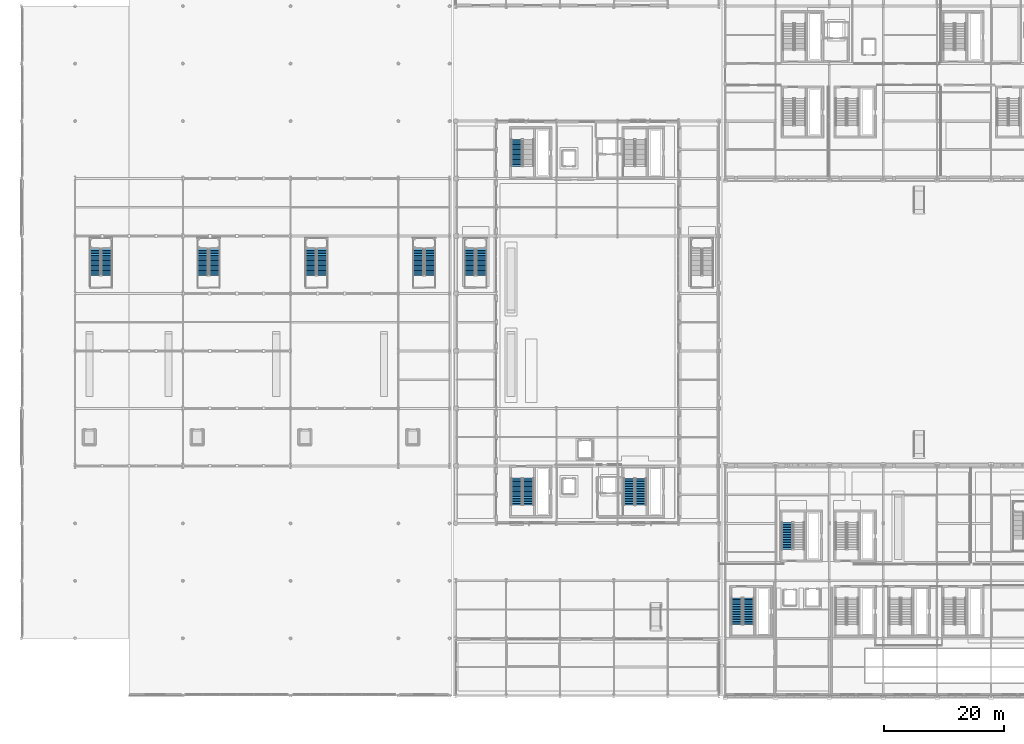
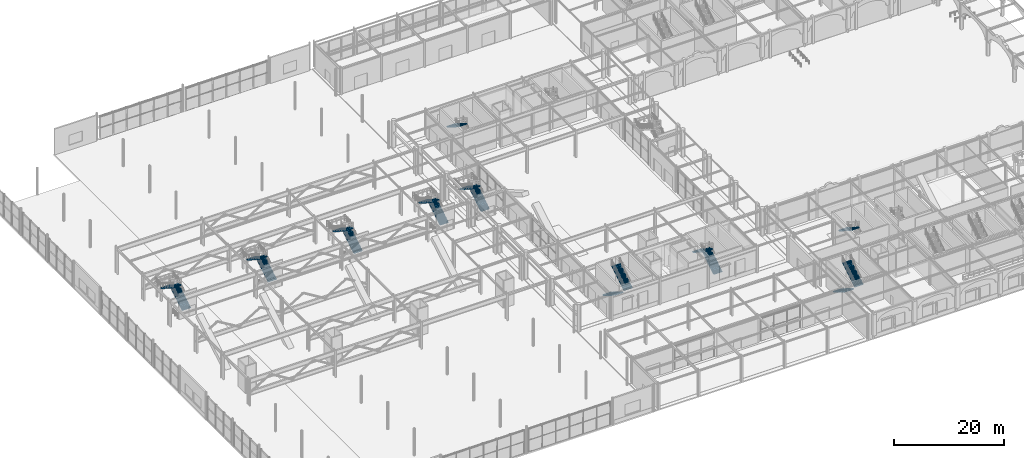
# One storey, part 70 of 113: 18 stair flights, 10 elements without a shape of their own.
"""IFC4 building model written with IfcOpenShell, lengths in metres."""

from ifc_helpers import new_model, si_unit, direction, frame, origin, place, context, subcontext, project, spatial, polyline, outline, extrude, material, type_object, element, aggregate, save


model = new_model("IFC4")

# Units and contexts
model_context = context("Model", 3, precision=1e-05, world=origin(), true_north=direction((0.0, 1.0)))
body_context = subcontext(model_context, "Body", "Model", "MODEL_VIEW")
ifc_project = project(units=[si_unit("LENGTHUNIT", "METRE"), si_unit("AREAUNIT", "SQUARE_METRE"), si_unit("VOLUMEUNIT", "CUBIC_METRE"), si_unit("PLANEANGLEUNIT", "RADIAN"), si_unit("MASSUNIT", "GRAM", prefix="KILO")], contexts=[model_context])

# Site, building, storey
site_placement = place(None, origin())
site = spatial("IfcSite", under=ifc_project, at=site_placement, CompositionType="ELEMENT")
building_placement = place(site_placement, origin())
building = spatial("IfcBuilding", under=site, at=building_placement, Name="Myrtia Square Station", CompositionType="ELEMENT")
storey_placement = place(building_placement, origin())
storey = spatial("IfcBuildingStorey", under=building, at=storey_placement, Name="L00", CompositionType="ELEMENT", Elevation=0.0)

# Stair, stair flights
ifc_material = material(Name="Concrete C35/45", Category="concrete")
stair_type_1 = type_object("IfcStairType", Name="STR-02-34R-1800W", PredefinedType="HALF_TURN_STAIR", material=ifc_material)
stair_1_placement = place(storey_placement, origin())
stair_1 = element("IfcStair", 1, at=stair_1_placement, inside=storey, type_object=stair_type_1, Name="L00 Core escape stair ST01", PredefinedType="HALF_TURN_STAIR")
stair_flight_type_1 = type_object("IfcStairFlightType", Name="STF-02-17R-1800W", PredefinedType="STRAIGHT", material=ifc_material)
stair_flight_1_placement = place(storey_placement, frame((82.75, 36.35009765625, 0.0), z_axis=(0.0, 0.0, 1.0), x_axis=(0.0, -1.0, 0.0)))
stair_flight_1 = element("IfcStairFlight", 2, at=stair_flight_1_placement, type_object=stair_flight_type_1, Name="ST01 flight 1", NumberOfRisers=17, NumberOfTreads=16, PredefinedType="STRAIGHT", RiserHeight=0.176470588, TreadLength=0.28, context=body_context, shape_type="SweptSolid", body=[
    extrude(outline(polyline([(0.0, 0.0), (0.0, 0.176513671875), (0.280029296875, 0.176513671875), (0.280029296875, 0.35302734375), (0.56005859375, 0.35302734375), (0.56005859375, 0.529296875), (0.840087890625, 0.529296875), (0.840087890625, 0.705810546875), (1.1201171875, 0.705810546875), (1.1201171875, 0.88232421875), (1.39990234375, 0.88232421875), (1.39990234375, 1.058837890625), (1.679931640625, 1.058837890625), (1.679931640625, 1.2353515625), (1.9599609375, 1.2353515625), (1.9599609375, 1.411865234375), (2.239990234375, 1.411865234375), (2.239990234375, 1.588134765625), (2.52001953125, 1.588134765625), (2.52001953125, 1.7646484375), (2.800048828125, 1.7646484375), (2.800048828125, 1.941162109375), (3.080078125, 1.941162109375), (3.080078125, 2.11767578125), (3.360107421875, 2.11767578125), (3.360107421875, 2.294189453125), (3.639892578125, 2.294189453125), (3.639892578125, 2.470703125), (3.919921875, 2.470703125), (3.919921875, 2.64697265625), (4.199951171875, 2.64697265625), (4.199951171875, 2.823486328125), (4.47998046875, 2.823486328125), (4.47998046875, 3.0), (4.47998046875, 2.646240234375), (0.28125, 0.0), (0.0, 0.0)])), frame((0.0, 0.89990234375, 0.0), z_axis=(0.0, -1.0, 0.0), x_axis=(1.0, 0.0, 0.0)), (0.0, 0.0, 1.0), 1.800048828125),
])
stair_flight_2_placement = place(storey_placement, frame((84.7099609375, 31.8701171875, 3.0), z_axis=(0.0, 0.0, 1.0), x_axis=(0.0, 1.0, 0.0)))
stair_flight_2 = element("IfcStairFlight", 3, at=stair_flight_2_placement, type_object=stair_flight_type_1, Name="ST01 flight 2", NumberOfRisers=17, NumberOfTreads=16, PredefinedType="STRAIGHT", RiserHeight=0.176470588, TreadLength=0.28, context=body_context, shape_type="SweptSolid", body=[
    extrude(outline(polyline([(0.0, 0.0), (0.0, 0.176513671875), (0.280029296875, 0.176513671875), (0.280029296875, 0.35302734375), (0.56005859375, 0.35302734375), (0.56005859375, 0.529296875), (0.840087890625, 0.529296875), (0.840087890625, 0.705810546875), (1.1201171875, 0.705810546875), (1.1201171875, 0.88232421875), (1.39990234375, 0.88232421875), (1.39990234375, 1.058837890625), (1.679931640625, 1.058837890625), (1.679931640625, 1.2353515625), (1.9599609375, 1.2353515625), (1.9599609375, 1.411865234375), (2.239990234375, 1.411865234375), (2.239990234375, 1.588134765625), (2.52001953125, 1.588134765625), (2.52001953125, 1.7646484375), (2.800048828125, 1.7646484375), (2.800048828125, 1.941162109375), (3.080078125, 1.941162109375), (3.080078125, 2.11767578125), (3.360107421875, 2.11767578125), (3.360107421875, 2.294189453125), (3.639892578125, 2.294189453125), (3.639892578125, 2.470703125), (3.919921875, 2.470703125), (3.919921875, 2.64697265625), (4.199951171875, 2.64697265625), (4.199951171875, 2.823486328125), (4.47998046875, 2.823486328125), (4.47998046875, 3.0), (4.47998046875, 2.646240234375), (0.28125, 0.0), (0.0, 0.0)])), frame((0.0, 0.89990234375, 0.0), z_axis=(0.0, -1.0, 0.0), x_axis=(1.0, 0.0, 0.0)), (0.0, 0.0, 1.0), 1.800048828125),
])
aggregate(stair_1, [stair_flight_1, stair_flight_2])

# Stair, stair flight
stair_2_placement = place(storey_placement, origin())
stair_2 = element("IfcStair", 4, at=stair_2_placement, inside=storey, type_object=stair_type_1, Name="L00 Core escape stair ST02", PredefinedType="HALF_TURN_STAIR")
stair_flight_3_placement = place(storey_placement, frame((82.75, 92.929931640625, 3.0), z_axis=(0.0, 0.0, 1.0), x_axis=(0.0, -1.0, 0.0)))
stair_flight_3 = element("IfcStairFlight", 5, at=stair_flight_3_placement, type_object=stair_flight_type_1, Name="ST02 flight 2", NumberOfRisers=17, NumberOfTreads=16, PredefinedType="STRAIGHT", RiserHeight=0.176470588, TreadLength=0.28, context=body_context, shape_type="SweptSolid", body=[
    extrude(outline(polyline([(0.0, 0.0), (0.0, 0.176513671875), (0.280029296875, 0.176513671875), (0.280029296875, 0.35302734375), (0.56005859375, 0.35302734375), (0.56005859375, 0.529296875), (0.840087890625, 0.529296875), (0.840087890625, 0.705810546875), (1.1201171875, 0.705810546875), (1.1201171875, 0.88232421875), (1.39990234375, 0.88232421875), (1.39990234375, 1.058837890625), (1.679931640625, 1.058837890625), (1.679931640625, 1.2353515625), (1.9599609375, 1.2353515625), (1.9599609375, 1.411865234375), (2.239990234375, 1.411865234375), (2.239990234375, 1.588134765625), (2.52001953125, 1.588134765625), (2.52001953125, 1.7646484375), (2.800048828125, 1.7646484375), (2.800048828125, 1.941162109375), (3.080078125, 1.941162109375), (3.080078125, 2.11767578125), (3.360107421875, 2.11767578125), (3.360107421875, 2.294189453125), (3.639892578125, 2.294189453125), (3.639892578125, 2.470703125), (3.919921875, 2.470703125), (3.919921875, 2.64697265625), (4.199951171875, 2.64697265625), (4.199951171875, 2.823486328125), (4.47998046875, 2.823486328125), (4.47998046875, 3.0), (4.47998046875, 2.646240234375), (0.28125, 0.0), (0.0, 0.0)])), frame((0.0, 0.89990234375, 0.0), z_axis=(0.0, -1.0, 0.0), x_axis=(1.0, 0.0, 0.0)), (0.0, 0.0, 1.0), 1.800048828125),
])
aggregate(stair_2, [stair_flight_3])

# Stair, stair flights
stair_3_placement = place(storey_placement, origin())
stair_3 = element("IfcStair", 6, at=stair_3_placement, inside=storey, type_object=stair_type_1, Name="L00 Core escape stair ST03", PredefinedType="HALF_TURN_STAIR")
stair_flight_4_placement = place(storey_placement, frame((103.510009765625, 31.85009765625, 0.0), z_axis=(0.0, 0.0, 1.0), x_axis=(0.0, 1.0, 0.0)))
stair_flight_4 = element("IfcStairFlight", 7, at=stair_flight_4_placement, type_object=stair_flight_type_1, Name="ST03 flight 1", NumberOfRisers=17, NumberOfTreads=16, PredefinedType="STRAIGHT", RiserHeight=0.176470588, TreadLength=0.28, context=body_context, shape_type="SweptSolid", body=[
    extrude(outline(polyline([(0.0, 0.0), (0.0, 0.176513671875), (0.280029296875, 0.176513671875), (0.280029296875, 0.35302734375), (0.56005859375, 0.35302734375), (0.56005859375, 0.529296875), (0.840087890625, 0.529296875), (0.840087890625, 0.705810546875), (1.1201171875, 0.705810546875), (1.1201171875, 0.88232421875), (1.39990234375, 0.88232421875), (1.39990234375, 1.058837890625), (1.679931640625, 1.058837890625), (1.679931640625, 1.2353515625), (1.9599609375, 1.2353515625), (1.9599609375, 1.411865234375), (2.239990234375, 1.411865234375), (2.239990234375, 1.588134765625), (2.52001953125, 1.588134765625), (2.52001953125, 1.7646484375), (2.800048828125, 1.7646484375), (2.800048828125, 1.941162109375), (3.080078125, 1.941162109375), (3.080078125, 2.11767578125), (3.360107421875, 2.11767578125), (3.360107421875, 2.294189453125), (3.639892578125, 2.294189453125), (3.639892578125, 2.470703125), (3.919921875, 2.470703125), (3.919921875, 2.64697265625), (4.199951171875, 2.64697265625), (4.199951171875, 2.823486328125), (4.47998046875, 2.823486328125), (4.47998046875, 3.0), (4.47998046875, 2.646240234375), (0.28125, 0.0), (0.0, 0.0)])), frame((0.0, 0.89990234375, 0.0), z_axis=(0.0, -1.0, 0.0), x_axis=(1.0, 0.0, 0.0)), (0.0, 0.0, 1.0), 1.800048828125),
])
stair_flight_5_placement = place(storey_placement, frame((101.550048828125, 36.330078125, 3.0), z_axis=(0.0, 0.0, 1.0), x_axis=(0.0, -1.0, 0.0)))
stair_flight_5 = element("IfcStairFlight", 8, at=stair_flight_5_placement, type_object=stair_flight_type_1, Name="ST03 flight 2", NumberOfRisers=17, NumberOfTreads=16, PredefinedType="STRAIGHT", RiserHeight=0.176470588, TreadLength=0.28, context=body_context, shape_type="SweptSolid", body=[
    extrude(outline(polyline([(0.0, 0.0), (0.0, 0.176513671875), (0.280029296875, 0.176513671875), (0.280029296875, 0.35302734375), (0.56005859375, 0.35302734375), (0.56005859375, 0.529296875), (0.840087890625, 0.529296875), (0.840087890625, 0.705810546875), (1.1201171875, 0.705810546875), (1.1201171875, 0.88232421875), (1.39990234375, 0.88232421875), (1.39990234375, 1.058837890625), (1.679931640625, 1.058837890625), (1.679931640625, 1.2353515625), (1.9599609375, 1.2353515625), (1.9599609375, 1.411865234375), (2.239990234375, 1.411865234375), (2.239990234375, 1.588134765625), (2.52001953125, 1.588134765625), (2.52001953125, 1.7646484375), (2.800048828125, 1.7646484375), (2.800048828125, 1.941162109375), (3.080078125, 1.941162109375), (3.080078125, 2.11767578125), (3.360107421875, 2.11767578125), (3.360107421875, 2.294189453125), (3.639892578125, 2.294189453125), (3.639892578125, 2.470703125), (3.919921875, 2.470703125), (3.919921875, 2.64697265625), (4.199951171875, 2.64697265625), (4.199951171875, 2.823486328125), (4.47998046875, 2.823486328125), (4.47998046875, 3.0), (4.47998046875, 2.646240234375), (0.28125, 0.0), (0.0, 0.0)])), frame((0.0, 0.89990234375, 0.0), z_axis=(0.0, -1.0, 0.0), x_axis=(1.0, 0.0, 0.0)), (0.0, 0.0, 1.0), 1.800048828125),
])
aggregate(stair_3, [stair_flight_4, stair_flight_5])

stair_4_placement = place(storey_placement, origin())
stair_4 = element("IfcStair", 9, at=stair_4_placement, inside=storey, type_object=stair_type_1, Name="L00 Core escape stair ST05", PredefinedType="HALF_TURN_STAIR")
stair_flight_6_placement = place(storey_placement, frame((119.550048828125, 16.35009765625, 0.0), z_axis=(0.0, 0.0, 1.0), x_axis=(0.0, -1.0, 0.0)))
stair_flight_6 = element("IfcStairFlight", 10, at=stair_flight_6_placement, type_object=stair_flight_type_1, Name="ST05 flight 1", NumberOfRisers=17, NumberOfTreads=16, PredefinedType="STRAIGHT", RiserHeight=0.176470588, TreadLength=0.28, context=body_context, shape_type="SweptSolid", body=[
    extrude(outline(polyline([(0.0, 0.0), (0.0, 0.176513671875), (0.280029296875, 0.176513671875), (0.280029296875, 0.35302734375), (0.56005859375, 0.35302734375), (0.56005859375, 0.529296875), (0.840087890625, 0.529296875), (0.840087890625, 0.705810546875), (1.1201171875, 0.705810546875), (1.1201171875, 0.88232421875), (1.39990234375, 0.88232421875), (1.39990234375, 1.058837890625), (1.679931640625, 1.058837890625), (1.679931640625, 1.2353515625), (1.9599609375, 1.2353515625), (1.9599609375, 1.411865234375), (2.239990234375, 1.411865234375), (2.239990234375, 1.588134765625), (2.52001953125, 1.588134765625), (2.52001953125, 1.7646484375), (2.800048828125, 1.7646484375), (2.800048828125, 1.941162109375), (3.080078125, 1.941162109375), (3.080078125, 2.11767578125), (3.360107421875, 2.11767578125), (3.360107421875, 2.294189453125), (3.639892578125, 2.294189453125), (3.639892578125, 2.470703125), (3.919921875, 2.470703125), (3.919921875, 2.64697265625), (4.199951171875, 2.64697265625), (4.199951171875, 2.823486328125), (4.47998046875, 2.823486328125), (4.47998046875, 3.0), (4.47998046875, 2.646240234375), (0.28125, 0.0), (0.0, 0.0)])), frame((0.0, 0.89990234375, 0.0), z_axis=(0.0, -1.0, 0.0), x_axis=(1.0, 0.0, 0.0)), (0.0, 0.0, 1.0), 1.800048828125),
])
stair_flight_7_placement = place(storey_placement, frame((121.510009765625, 11.8701171875, 3.0), z_axis=(0.0, 0.0, 1.0), x_axis=(0.0, 1.0, 0.0)))
stair_flight_7 = element("IfcStairFlight", 11, at=stair_flight_7_placement, type_object=stair_flight_type_1, Name="ST05 flight 2", NumberOfRisers=17, NumberOfTreads=16, PredefinedType="STRAIGHT", RiserHeight=0.176470588, TreadLength=0.28, context=body_context, shape_type="SweptSolid", body=[
    extrude(outline(polyline([(0.0, 0.0), (0.0, 0.176513671875), (0.280029296875, 0.176513671875), (0.280029296875, 0.35302734375), (0.56005859375, 0.35302734375), (0.56005859375, 0.529296875), (0.840087890625, 0.529296875), (0.840087890625, 0.705810546875), (1.1201171875, 0.705810546875), (1.1201171875, 0.88232421875), (1.39990234375, 0.88232421875), (1.39990234375, 1.058837890625), (1.679931640625, 1.058837890625), (1.679931640625, 1.2353515625), (1.9599609375, 1.2353515625), (1.9599609375, 1.411865234375), (2.239990234375, 1.411865234375), (2.239990234375, 1.588134765625), (2.52001953125, 1.588134765625), (2.52001953125, 1.7646484375), (2.800048828125, 1.7646484375), (2.800048828125, 1.941162109375), (3.080078125, 1.941162109375), (3.080078125, 2.11767578125), (3.360107421875, 2.11767578125), (3.360107421875, 2.294189453125), (3.639892578125, 2.294189453125), (3.639892578125, 2.470703125), (3.919921875, 2.470703125), (3.919921875, 2.64697265625), (4.199951171875, 2.64697265625), (4.199951171875, 2.823486328125), (4.47998046875, 2.823486328125), (4.47998046875, 3.0), (4.47998046875, 2.646240234375), (0.28125, 0.0), (0.0, 0.0)])), frame((0.0, 0.89990234375, 0.0), z_axis=(0.0, -1.0, 0.0), x_axis=(1.0, 0.0, 0.0)), (0.0, 0.0, 1.0), 1.800048828125),
])
aggregate(stair_4, [stair_flight_6, stair_flight_7])

# Stair, stair flight
stair_5_placement = place(storey_placement, origin())
stair_5 = element("IfcStair", 12, at=stair_5_placement, inside=storey, type_object=stair_type_1, Name="L00 Core escape stair ST10", PredefinedType="HALF_TURN_STAIR")
stair_flight_8_placement = place(storey_placement, frame((127.949951171875, 28.929931640625, 3.0), z_axis=(0.0, 0.0, 1.0), x_axis=(0.0, -1.0, 0.0)))
stair_flight_8 = element("IfcStairFlight", 13, at=stair_flight_8_placement, type_object=stair_flight_type_1, Name="ST10 flight 2", NumberOfRisers=17, NumberOfTreads=16, PredefinedType="STRAIGHT", RiserHeight=0.176470588, TreadLength=0.28, context=body_context, shape_type="SweptSolid", body=[
    extrude(outline(polyline([(0.0, 0.0), (0.0, 0.176513671875), (0.280029296875, 0.176513671875), (0.280029296875, 0.35302734375), (0.56005859375, 0.35302734375), (0.56005859375, 0.529296875), (0.840087890625, 0.529296875), (0.840087890625, 0.705810546875), (1.1201171875, 0.705810546875), (1.1201171875, 0.88232421875), (1.39990234375, 0.88232421875), (1.39990234375, 1.058837890625), (1.679931640625, 1.058837890625), (1.679931640625, 1.2353515625), (1.9599609375, 1.2353515625), (1.9599609375, 1.411865234375), (2.239990234375, 1.411865234375), (2.239990234375, 1.588134765625), (2.52001953125, 1.588134765625), (2.52001953125, 1.7646484375), (2.800048828125, 1.7646484375), (2.800048828125, 1.941162109375), (3.080078125, 1.941162109375), (3.080078125, 2.11767578125), (3.360107421875, 2.11767578125), (3.360107421875, 2.294189453125), (3.639892578125, 2.294189453125), (3.639892578125, 2.470703125), (3.919921875, 2.470703125), (3.919921875, 2.64697265625), (4.199951171875, 2.64697265625), (4.199951171875, 2.823486328125), (4.47998046875, 2.823486328125), (4.47998046875, 3.0), (4.47998046875, 2.646240234375), (0.28125, 0.0), (0.0, 0.0)])), frame((0.0, 0.89990234375, 0.0), z_axis=(0.0, -1.0, 0.0), x_axis=(1.0, 0.0, 0.0)), (0.0, 0.0, 1.0), 1.800048828125),
])
aggregate(stair_5, [stair_flight_8])

# Stair, stair flights
stair_type_2 = type_object("IfcStairType", Name="STR-06-34R-1800W", PredefinedType="TWO_STRAIGHT_RUN_STAIR", material=ifc_material)
stair_6_placement = place(storey_placement, origin())
stair_6 = element("IfcStair", 14, at=stair_6_placement, inside=storey, type_object=stair_type_2, Name="L00 Platform interchange stair ST65", PredefinedType="TWO_STRAIGHT_RUN_STAIR")
stair_flight_type_2 = type_object("IfcStairFlightType", Name="STF-06-17R-1800W", PredefinedType="STRAIGHT", material=ifc_material)
stair_flight_9_placement = place(storey_placement, frame((14.300048828125, 70.199951171875, 0.0), z_axis=(0.0, 0.0, 1.0), x_axis=(0.0, 1.0, 0.0)))
stair_flight_9 = element("IfcStairFlight", 15, at=stair_flight_9_placement, type_object=stair_flight_type_2, Name="ST65 flight 1", NumberOfRisers=17, NumberOfTreads=16, PredefinedType="STRAIGHT", RiserHeight=0.176470588, TreadLength=0.28, context=body_context, shape_type="SweptSolid", body=[
    extrude(outline(polyline([(0.0, 0.0), (0.0, 0.176513671875), (0.280029296875, 0.176513671875), (0.280029296875, 0.35302734375), (0.56005859375, 0.35302734375), (0.56005859375, 0.529296875), (0.840087890625, 0.529296875), (0.840087890625, 0.705810546875), (1.1201171875, 0.705810546875), (1.1201171875, 0.88232421875), (1.39990234375, 0.88232421875), (1.39990234375, 1.058837890625), (1.679931640625, 1.058837890625), (1.679931640625, 1.2353515625), (1.9599609375, 1.2353515625), (1.9599609375, 1.411865234375), (2.239990234375, 1.411865234375), (2.239990234375, 1.588134765625), (2.52001953125, 1.588134765625), (2.52001953125, 1.7646484375), (2.800048828125, 1.7646484375), (2.800048828125, 1.941162109375), (3.080078125, 1.941162109375), (3.080078125, 2.11767578125), (3.360107421875, 2.11767578125), (3.360107421875, 2.294189453125), (3.639892578125, 2.294189453125), (3.639892578125, 2.470703125), (3.919921875, 2.470703125), (3.919921875, 2.64697265625), (4.199951171875, 2.64697265625), (4.199951171875, 2.823486328125), (4.47998046875, 2.823486328125), (4.47998046875, 3.0), (4.47998046875, 2.646240234375), (0.28125, 0.0), (0.0, 0.0)])), frame((0.0, 0.89990234375, 0.0), z_axis=(0.0, -1.0, 0.0), x_axis=(1.0, 0.0, 0.0)), (0.0, 0.0, 1.0), 1.800048828125),
])
stair_flight_10_placement = place(storey_placement, frame((12.340087890625, 74.679931640625, 3.0), z_axis=(0.0, 0.0, 1.0), x_axis=(0.0, -1.0, 0.0)))
stair_flight_10 = element("IfcStairFlight", 16, at=stair_flight_10_placement, type_object=stair_flight_type_2, Name="ST65 flight 2", NumberOfRisers=17, NumberOfTreads=16, PredefinedType="STRAIGHT", RiserHeight=0.176470588, TreadLength=0.28, context=body_context, shape_type="SweptSolid", body=[
    extrude(outline(polyline([(0.0, 0.0), (0.0, 0.176513671875), (0.280029296875, 0.176513671875), (0.280029296875, 0.35302734375), (0.56005859375, 0.35302734375), (0.56005859375, 0.529296875), (0.840087890625, 0.529296875), (0.840087890625, 0.705810546875), (1.1201171875, 0.705810546875), (1.1201171875, 0.88232421875), (1.39990234375, 0.88232421875), (1.39990234375, 1.058837890625), (1.679931640625, 1.058837890625), (1.679931640625, 1.2353515625), (1.9599609375, 1.2353515625), (1.9599609375, 1.411865234375), (2.239990234375, 1.411865234375), (2.239990234375, 1.588134765625), (2.52001953125, 1.588134765625), (2.52001953125, 1.7646484375), (2.800048828125, 1.7646484375), (2.800048828125, 1.941162109375), (3.080078125, 1.941162109375), (3.080078125, 2.11767578125), (3.360107421875, 2.11767578125), (3.360107421875, 2.294189453125), (3.639892578125, 2.294189453125), (3.639892578125, 2.470703125), (3.919921875, 2.470703125), (3.919921875, 2.64697265625), (4.199951171875, 2.64697265625), (4.199951171875, 2.823486328125), (4.47998046875, 2.823486328125), (4.47998046875, 3.0), (4.47998046875, 2.646240234375), (0.28125, 0.0), (0.0, 0.0)])), frame((0.0, 0.89990234375, 0.0), z_axis=(0.0, -1.0, 0.0), x_axis=(1.0, 0.0, 0.0)), (0.0, 0.0, 1.0), 1.800048828125),
])
aggregate(stair_6, [stair_flight_9, stair_flight_10])

stair_7_placement = place(storey_placement, origin())
stair_7 = element("IfcStair", 17, at=stair_7_placement, inside=storey, type_object=stair_type_2, Name="L00 Platform interchange stair ST66", PredefinedType="TWO_STRAIGHT_RUN_STAIR")
stair_flight_11_placement = place(storey_placement, frame((32.300048828125, 70.199951171875, 0.0), z_axis=(0.0, 0.0, 1.0), x_axis=(0.0, 1.0, 0.0)))
stair_flight_11 = element("IfcStairFlight", 18, at=stair_flight_11_placement, type_object=stair_flight_type_2, Name="ST66 flight 1", NumberOfRisers=17, NumberOfTreads=16, PredefinedType="STRAIGHT", RiserHeight=0.176470588, TreadLength=0.28, context=body_context, shape_type="SweptSolid", body=[
    extrude(outline(polyline([(0.0, 0.0), (0.0, 0.176513671875), (0.280029296875, 0.176513671875), (0.280029296875, 0.35302734375), (0.56005859375, 0.35302734375), (0.56005859375, 0.529296875), (0.840087890625, 0.529296875), (0.840087890625, 0.705810546875), (1.1201171875, 0.705810546875), (1.1201171875, 0.88232421875), (1.39990234375, 0.88232421875), (1.39990234375, 1.058837890625), (1.679931640625, 1.058837890625), (1.679931640625, 1.2353515625), (1.9599609375, 1.2353515625), (1.9599609375, 1.411865234375), (2.239990234375, 1.411865234375), (2.239990234375, 1.588134765625), (2.52001953125, 1.588134765625), (2.52001953125, 1.7646484375), (2.800048828125, 1.7646484375), (2.800048828125, 1.941162109375), (3.080078125, 1.941162109375), (3.080078125, 2.11767578125), (3.360107421875, 2.11767578125), (3.360107421875, 2.294189453125), (3.639892578125, 2.294189453125), (3.639892578125, 2.470703125), (3.919921875, 2.470703125), (3.919921875, 2.64697265625), (4.199951171875, 2.64697265625), (4.199951171875, 2.823486328125), (4.47998046875, 2.823486328125), (4.47998046875, 3.0), (4.47998046875, 2.646240234375), (0.28125, 0.0), (0.0, 0.0)])), frame((0.0, 0.89990234375, 0.0), z_axis=(0.0, -1.0, 0.0), x_axis=(1.0, 0.0, 0.0)), (0.0, 0.0, 1.0), 1.800048828125),
])
stair_flight_12_placement = place(storey_placement, frame((30.340087890625, 74.679931640625, 3.0), z_axis=(0.0, 0.0, 1.0), x_axis=(0.0, -1.0, 0.0)))
stair_flight_12 = element("IfcStairFlight", 19, at=stair_flight_12_placement, type_object=stair_flight_type_2, Name="ST66 flight 2", NumberOfRisers=17, NumberOfTreads=16, PredefinedType="STRAIGHT", RiserHeight=0.176470588, TreadLength=0.28, context=body_context, shape_type="SweptSolid", body=[
    extrude(outline(polyline([(0.0, 0.0), (0.0, 0.176513671875), (0.280029296875, 0.176513671875), (0.280029296875, 0.35302734375), (0.56005859375, 0.35302734375), (0.56005859375, 0.529296875), (0.840087890625, 0.529296875), (0.840087890625, 0.705810546875), (1.1201171875, 0.705810546875), (1.1201171875, 0.88232421875), (1.39990234375, 0.88232421875), (1.39990234375, 1.058837890625), (1.679931640625, 1.058837890625), (1.679931640625, 1.2353515625), (1.9599609375, 1.2353515625), (1.9599609375, 1.411865234375), (2.239990234375, 1.411865234375), (2.239990234375, 1.588134765625), (2.52001953125, 1.588134765625), (2.52001953125, 1.7646484375), (2.800048828125, 1.7646484375), (2.800048828125, 1.941162109375), (3.080078125, 1.941162109375), (3.080078125, 2.11767578125), (3.360107421875, 2.11767578125), (3.360107421875, 2.294189453125), (3.639892578125, 2.294189453125), (3.639892578125, 2.470703125), (3.919921875, 2.470703125), (3.919921875, 2.64697265625), (4.199951171875, 2.64697265625), (4.199951171875, 2.823486328125), (4.47998046875, 2.823486328125), (4.47998046875, 3.0), (4.47998046875, 2.646240234375), (0.28125, 0.0), (0.0, 0.0)])), frame((0.0, 0.89990234375, 0.0), z_axis=(0.0, -1.0, 0.0), x_axis=(1.0, 0.0, 0.0)), (0.0, 0.0, 1.0), 1.800048828125),
])
aggregate(stair_7, [stair_flight_11, stair_flight_12])

stair_8_placement = place(storey_placement, origin())
stair_8 = element("IfcStair", 20, at=stair_8_placement, inside=storey, type_object=stair_type_2, Name="L00 Platform interchange stair ST67", PredefinedType="TWO_STRAIGHT_RUN_STAIR")
stair_flight_13_placement = place(storey_placement, frame((50.300048828125, 70.199951171875, 0.0), z_axis=(0.0, 0.0, 1.0), x_axis=(0.0, 1.0, 0.0)))
stair_flight_13 = element("IfcStairFlight", 21, at=stair_flight_13_placement, type_object=stair_flight_type_2, Name="ST67 flight 1", NumberOfRisers=17, NumberOfTreads=16, PredefinedType="STRAIGHT", RiserHeight=0.176470588, TreadLength=0.28, context=body_context, shape_type="SweptSolid", body=[
    extrude(outline(polyline([(0.0, 0.0), (0.0, 0.176513671875), (0.280029296875, 0.176513671875), (0.280029296875, 0.35302734375), (0.56005859375, 0.35302734375), (0.56005859375, 0.529296875), (0.840087890625, 0.529296875), (0.840087890625, 0.705810546875), (1.1201171875, 0.705810546875), (1.1201171875, 0.88232421875), (1.39990234375, 0.88232421875), (1.39990234375, 1.058837890625), (1.679931640625, 1.058837890625), (1.679931640625, 1.2353515625), (1.9599609375, 1.2353515625), (1.9599609375, 1.411865234375), (2.239990234375, 1.411865234375), (2.239990234375, 1.588134765625), (2.52001953125, 1.588134765625), (2.52001953125, 1.7646484375), (2.800048828125, 1.7646484375), (2.800048828125, 1.941162109375), (3.080078125, 1.941162109375), (3.080078125, 2.11767578125), (3.360107421875, 2.11767578125), (3.360107421875, 2.294189453125), (3.639892578125, 2.294189453125), (3.639892578125, 2.470703125), (3.919921875, 2.470703125), (3.919921875, 2.64697265625), (4.199951171875, 2.64697265625), (4.199951171875, 2.823486328125), (4.47998046875, 2.823486328125), (4.47998046875, 3.0), (4.47998046875, 2.646240234375), (0.28125, 0.0), (0.0, 0.0)])), frame((0.0, 0.89990234375, 0.0), z_axis=(0.0, -1.0, 0.0), x_axis=(1.0, 0.0, 0.0)), (0.0, 0.0, 1.0), 1.800048828125),
])
stair_flight_14_placement = place(storey_placement, frame((48.340087890625, 74.679931640625, 3.0), z_axis=(0.0, 0.0, 1.0), x_axis=(0.0, -1.0, 0.0)))
stair_flight_14 = element("IfcStairFlight", 22, at=stair_flight_14_placement, type_object=stair_flight_type_2, Name="ST67 flight 2", NumberOfRisers=17, NumberOfTreads=16, PredefinedType="STRAIGHT", RiserHeight=0.176470588, TreadLength=0.28, context=body_context, shape_type="SweptSolid", body=[
    extrude(outline(polyline([(0.0, 0.0), (0.0, 0.176513671875), (0.280029296875, 0.176513671875), (0.280029296875, 0.35302734375), (0.56005859375, 0.35302734375), (0.56005859375, 0.529296875), (0.840087890625, 0.529296875), (0.840087890625, 0.705810546875), (1.1201171875, 0.705810546875), (1.1201171875, 0.88232421875), (1.39990234375, 0.88232421875), (1.39990234375, 1.058837890625), (1.679931640625, 1.058837890625), (1.679931640625, 1.2353515625), (1.9599609375, 1.2353515625), (1.9599609375, 1.411865234375), (2.239990234375, 1.411865234375), (2.239990234375, 1.588134765625), (2.52001953125, 1.588134765625), (2.52001953125, 1.7646484375), (2.800048828125, 1.7646484375), (2.800048828125, 1.941162109375), (3.080078125, 1.941162109375), (3.080078125, 2.11767578125), (3.360107421875, 2.11767578125), (3.360107421875, 2.294189453125), (3.639892578125, 2.294189453125), (3.639892578125, 2.470703125), (3.919921875, 2.470703125), (3.919921875, 2.64697265625), (4.199951171875, 2.64697265625), (4.199951171875, 2.823486328125), (4.47998046875, 2.823486328125), (4.47998046875, 3.0), (4.47998046875, 2.646240234375), (0.28125, 0.0), (0.0, 0.0)])), frame((0.0, 0.89990234375, 0.0), z_axis=(0.0, -1.0, 0.0), x_axis=(1.0, 0.0, 0.0)), (0.0, 0.0, 1.0), 1.800048828125),
])
aggregate(stair_8, [stair_flight_13, stair_flight_14])

stair_9_placement = place(storey_placement, origin())
stair_9 = element("IfcStair", 23, at=stair_9_placement, inside=storey, type_object=stair_type_2, Name="L00 Platform interchange stair ST68", PredefinedType="TWO_STRAIGHT_RUN_STAIR")
stair_flight_15_placement = place(storey_placement, frame((68.300048828125, 70.199951171875, 0.0), z_axis=(0.0, 0.0, 1.0), x_axis=(0.0, 1.0, 0.0)))
stair_flight_15 = element("IfcStairFlight", 24, at=stair_flight_15_placement, type_object=stair_flight_type_2, Name="ST68 flight 1", NumberOfRisers=17, NumberOfTreads=16, PredefinedType="STRAIGHT", RiserHeight=0.176470588, TreadLength=0.28, context=body_context, shape_type="SweptSolid", body=[
    extrude(outline(polyline([(0.0, 0.0), (0.0, 0.176513671875), (0.280029296875, 0.176513671875), (0.280029296875, 0.35302734375), (0.56005859375, 0.35302734375), (0.56005859375, 0.529296875), (0.840087890625, 0.529296875), (0.840087890625, 0.705810546875), (1.1201171875, 0.705810546875), (1.1201171875, 0.88232421875), (1.39990234375, 0.88232421875), (1.39990234375, 1.058837890625), (1.679931640625, 1.058837890625), (1.679931640625, 1.2353515625), (1.9599609375, 1.2353515625), (1.9599609375, 1.411865234375), (2.239990234375, 1.411865234375), (2.239990234375, 1.588134765625), (2.52001953125, 1.588134765625), (2.52001953125, 1.7646484375), (2.800048828125, 1.7646484375), (2.800048828125, 1.941162109375), (3.080078125, 1.941162109375), (3.080078125, 2.11767578125), (3.360107421875, 2.11767578125), (3.360107421875, 2.294189453125), (3.639892578125, 2.294189453125), (3.639892578125, 2.470703125), (3.919921875, 2.470703125), (3.919921875, 2.64697265625), (4.199951171875, 2.64697265625), (4.199951171875, 2.823486328125), (4.47998046875, 2.823486328125), (4.47998046875, 3.0), (4.47998046875, 2.646240234375), (0.28125, 0.0), (0.0, 0.0)])), frame((0.0, 0.89990234375, 0.0), z_axis=(0.0, -1.0, 0.0), x_axis=(1.0, 0.0, 0.0)), (0.0, 0.0, 1.0), 1.800048828125),
])
stair_flight_16_placement = place(storey_placement, frame((66.340087890625, 74.679931640625, 3.0), z_axis=(0.0, 0.0, 1.0), x_axis=(0.0, -1.0, 0.0)))
stair_flight_16 = element("IfcStairFlight", 25, at=stair_flight_16_placement, type_object=stair_flight_type_2, Name="ST68 flight 2", NumberOfRisers=17, NumberOfTreads=16, PredefinedType="STRAIGHT", RiserHeight=0.176470588, TreadLength=0.28, context=body_context, shape_type="SweptSolid", body=[
    extrude(outline(polyline([(0.0, 0.0), (0.0, 0.176513671875), (0.280029296875, 0.176513671875), (0.280029296875, 0.35302734375), (0.56005859375, 0.35302734375), (0.56005859375, 0.529296875), (0.840087890625, 0.529296875), (0.840087890625, 0.705810546875), (1.1201171875, 0.705810546875), (1.1201171875, 0.88232421875), (1.39990234375, 0.88232421875), (1.39990234375, 1.058837890625), (1.679931640625, 1.058837890625), (1.679931640625, 1.2353515625), (1.9599609375, 1.2353515625), (1.9599609375, 1.411865234375), (2.239990234375, 1.411865234375), (2.239990234375, 1.588134765625), (2.52001953125, 1.588134765625), (2.52001953125, 1.7646484375), (2.800048828125, 1.7646484375), (2.800048828125, 1.941162109375), (3.080078125, 1.941162109375), (3.080078125, 2.11767578125), (3.360107421875, 2.11767578125), (3.360107421875, 2.294189453125), (3.639892578125, 2.294189453125), (3.639892578125, 2.470703125), (3.919921875, 2.470703125), (3.919921875, 2.64697265625), (4.199951171875, 2.64697265625), (4.199951171875, 2.823486328125), (4.47998046875, 2.823486328125), (4.47998046875, 3.0), (4.47998046875, 2.646240234375), (0.28125, 0.0), (0.0, 0.0)])), frame((0.0, 0.89990234375, 0.0), z_axis=(0.0, -1.0, 0.0), x_axis=(1.0, 0.0, 0.0)), (0.0, 0.0, 1.0), 1.800048828125),
])
aggregate(stair_9, [stair_flight_15, stair_flight_16])

stair_10_placement = place(storey_placement, origin())
stair_10 = element("IfcStair", 26, at=stair_10_placement, inside=storey, type_object=stair_type_2, Name="L00 Platform interchange stair ST69", PredefinedType="TWO_STRAIGHT_RUN_STAIR")
stair_flight_17_placement = place(storey_placement, frame((76.89990234375, 70.199951171875, 0.0), z_axis=(0.0, 0.0, 1.0), x_axis=(0.0, 1.0, 0.0)))
stair_flight_17 = element("IfcStairFlight", 27, at=stair_flight_17_placement, type_object=stair_flight_type_2, Name="ST69 flight 1", NumberOfRisers=17, NumberOfTreads=16, PredefinedType="STRAIGHT", RiserHeight=0.176470588, TreadLength=0.28, context=body_context, shape_type="SweptSolid", body=[
    extrude(outline(polyline([(0.0, 0.0), (0.0, 0.176513671875), (0.280029296875, 0.176513671875), (0.280029296875, 0.35302734375), (0.56005859375, 0.35302734375), (0.56005859375, 0.529296875), (0.840087890625, 0.529296875), (0.840087890625, 0.705810546875), (1.1201171875, 0.705810546875), (1.1201171875, 0.88232421875), (1.39990234375, 0.88232421875), (1.39990234375, 1.058837890625), (1.679931640625, 1.058837890625), (1.679931640625, 1.2353515625), (1.9599609375, 1.2353515625), (1.9599609375, 1.411865234375), (2.239990234375, 1.411865234375), (2.239990234375, 1.588134765625), (2.52001953125, 1.588134765625), (2.52001953125, 1.7646484375), (2.800048828125, 1.7646484375), (2.800048828125, 1.941162109375), (3.080078125, 1.941162109375), (3.080078125, 2.11767578125), (3.360107421875, 2.11767578125), (3.360107421875, 2.294189453125), (3.639892578125, 2.294189453125), (3.639892578125, 2.470703125), (3.919921875, 2.470703125), (3.919921875, 2.64697265625), (4.199951171875, 2.64697265625), (4.199951171875, 2.823486328125), (4.47998046875, 2.823486328125), (4.47998046875, 3.0), (4.47998046875, 2.646240234375), (0.28125, 0.0), (0.0, 0.0)])), frame((0.0, 0.89990234375, 0.0), z_axis=(0.0, -1.0, 0.0), x_axis=(1.0, 0.0, 0.0)), (0.0, 0.0, 1.0), 1.800048828125),
])
stair_flight_18_placement = place(storey_placement, frame((74.93994140625, 74.679931640625, 3.0), z_axis=(0.0, 0.0, 1.0), x_axis=(0.0, -1.0, 0.0)))
stair_flight_18 = element("IfcStairFlight", 28, at=stair_flight_18_placement, type_object=stair_flight_type_2, Name="ST69 flight 2", NumberOfRisers=17, NumberOfTreads=16, PredefinedType="STRAIGHT", RiserHeight=0.176470588, TreadLength=0.28, context=body_context, shape_type="SweptSolid", body=[
    extrude(outline(polyline([(0.0, 0.0), (0.0, 0.176513671875), (0.280029296875, 0.176513671875), (0.280029296875, 0.35302734375), (0.56005859375, 0.35302734375), (0.56005859375, 0.529296875), (0.840087890625, 0.529296875), (0.840087890625, 0.705810546875), (1.1201171875, 0.705810546875), (1.1201171875, 0.88232421875), (1.39990234375, 0.88232421875), (1.39990234375, 1.058837890625), (1.679931640625, 1.058837890625), (1.679931640625, 1.2353515625), (1.9599609375, 1.2353515625), (1.9599609375, 1.411865234375), (2.239990234375, 1.411865234375), (2.239990234375, 1.588134765625), (2.52001953125, 1.588134765625), (2.52001953125, 1.7646484375), (2.800048828125, 1.7646484375), (2.800048828125, 1.941162109375), (3.080078125, 1.941162109375), (3.080078125, 2.11767578125), (3.360107421875, 2.11767578125), (3.360107421875, 2.294189453125), (3.639892578125, 2.294189453125), (3.639892578125, 2.470703125), (3.919921875, 2.470703125), (3.919921875, 2.64697265625), (4.199951171875, 2.64697265625), (4.199951171875, 2.823486328125), (4.47998046875, 2.823486328125), (4.47998046875, 3.0), (4.47998046875, 2.646240234375), (0.28125, 0.0), (0.0, 0.0)])), frame((0.0, 0.89990234375, 0.0), z_axis=(0.0, -1.0, 0.0), x_axis=(1.0, 0.0, 0.0)), (0.0, 0.0, 1.0), 1.800048828125),
])
aggregate(stair_10, [stair_flight_17, stair_flight_18])

save(model, "model.ifc")
